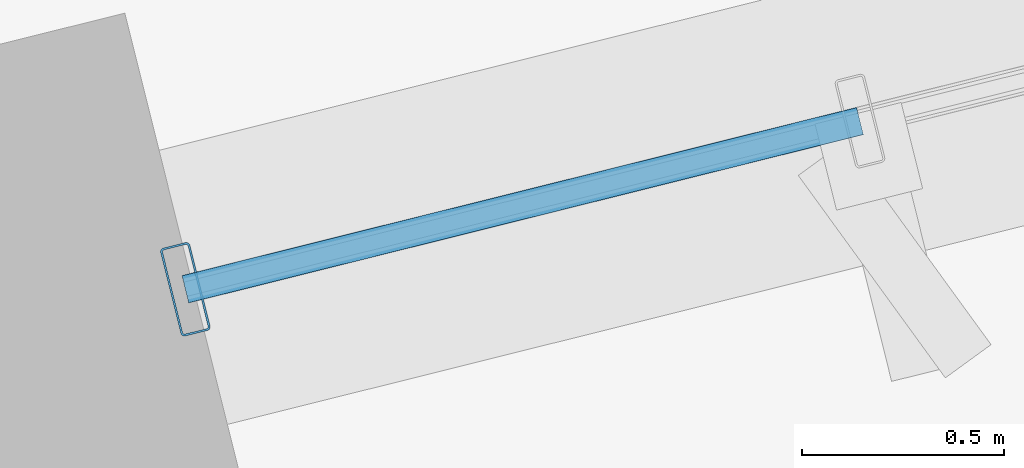
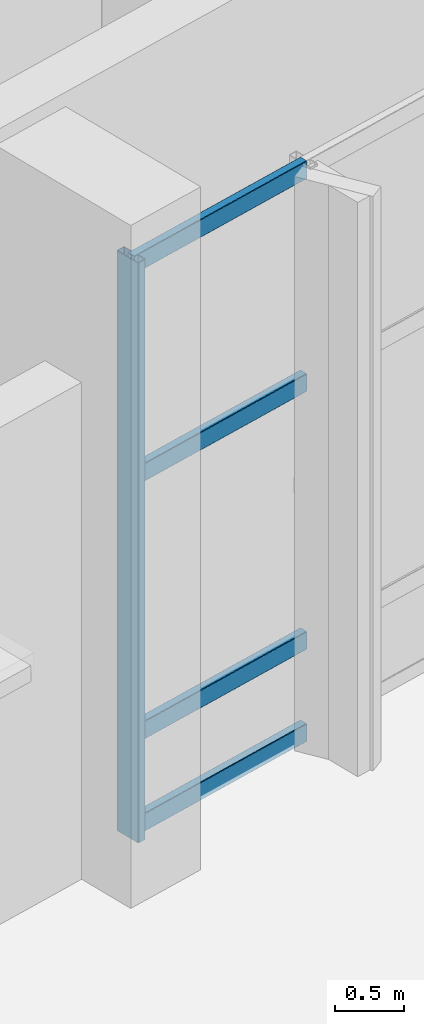
# One storey, part 85 of 163: 5 members, 1 element without a shape of its own.
"""IFC4 building model written with IfcOpenShell, lengths in metres."""

from ifc_helpers import new_model, si_unit, direction, frame, origin, origin_2d, place, context, subcontext, project, spatial, hollow_rectangle, extrude, material, layer, layer_set, material_profile, profile_set, type_object, element, aggregate, save


model = new_model("IFC4")

# Units and contexts
model_context = context("Model", 3, precision=1e-05, world=origin(), true_north=direction((0.0, 1.0)))
body_context = subcontext(model_context, "Body", "Model", "MODEL_VIEW")
ifc_project = project(units=[si_unit("LENGTHUNIT", "METRE"), si_unit("AREAUNIT", "SQUARE_METRE"), si_unit("VOLUMEUNIT", "CUBIC_METRE"), si_unit("PLANEANGLEUNIT", "RADIAN"), si_unit("MASSUNIT", "GRAM", prefix="KILO")], contexts=[model_context])

# Site, building, storey
site_placement = place(None, origin())
site = spatial("IfcSite", under=ifc_project, at=site_placement, CompositionType="ELEMENT")
building_placement = place(site_placement, origin())
building = spatial("IfcBuilding", under=site, at=building_placement, Name="Khorjan Park Terminus", CompositionType="ELEMENT")
storey_placement = place(building_placement, origin())
storey = spatial("IfcBuildingStorey", under=building, at=storey_placement, Name="L00", CompositionType="ELEMENT", Elevation=0.0)

# Curtain wall, members
ifc_material = material(Name="Anodized Bronze Aluminium", Category="aluminium")
ifc_layer = layer(ifc_material, 0.22)
ifc_layer_set = layer_set([ifc_layer], Name="Anodized Bronze Aluminium")
curtain_wall_type = type_object("IfcCurtainWallType", Name="CW-OPS-B", PredefinedType="NOTDEFINED", material=ifc_layer_set)
curtain_wall_placement = place(storey_placement, origin())
curtain_wall = element("IfcCurtainWall", 1, at=curtain_wall_placement, inside=storey, type_object=curtain_wall_type, Name="Unitized curtain wall CW-B (CW-V5-S-L00-B05)", PredefinedType="NOTDEFINED")
ifc_material_profile_1 = material_profile(ifc_material, hollow_rectangle(XDim=0.075, YDim=0.225, WallThickness=0.005, InnerFilletRadius=0.005, OuterFilletRadius=0.01, at=origin_2d()), Name="ALM 75x225x5")
ifc_profile_set_1 = profile_set([ifc_material_profile_1], Name="Anodized Bronze Aluminium")
member_type_1 = type_object("IfcMemberType", Name="ML-ALM-225", PredefinedType="MULLION", material=ifc_profile_set_1)
member_1_placement = place(storey_placement, frame((209.0133, 12.7245, -0.035), z_axis=(0.0, 0.0, 1.0), x_axis=(0.970298180833, 0.241912050695, 0.0)))
member_1 = element("IfcMember", 2, at=member_1_placement, type_object=member_type_1, Name="Curtain-wall mullion ML-22 (CW-V5-S-L00-B05-0)", PredefinedType="MULLION", context=body_context, shape_type="SweptSolid", body=[
    extrude(hollow_rectangle(XDim=0.075, YDim=0.225, WallThickness=0.005, InnerFilletRadius=0.005, OuterFilletRadius=0.01, at=origin_2d()), origin(), (0.0, 0.0, 1.0), 5.095),
])
ifc_material_profile_2 = material_profile(ifc_material, hollow_rectangle(XDim=0.07, YDim=0.16, WallThickness=0.004, InnerFilletRadius=0.004, OuterFilletRadius=0.008, at=origin_2d()), Name="ALT 70x160x4")
ifc_profile_set_2 = profile_set([ifc_material_profile_2], Name="Anodized Bronze Aluminium")
member_type_2 = type_object("IfcMemberType", Name="TR-ALT-160", PredefinedType="USERDEFINED", material=ifc_profile_set_2)
member_2_placement = place(storey_placement, frame((209.0133, 12.7245, 0.04), z_axis=(0.970295910649, 0.241921156121, 0.0), x_axis=(-0.241921156121, 0.970295910649, 0.0)))
member_2 = element("IfcMember", 3, at=member_2_placement, type_object=member_type_2, Name="Curtain-wall transom TR-16 (CW-V5-S-L00-B05-0-1)", ObjectType="TRANSOM", PredefinedType="USERDEFINED", context=body_context, shape_type="SweptSolid", body=[
    extrude(hollow_rectangle(XDim=0.07, YDim=0.16, WallThickness=0.004, InnerFilletRadius=0.004, OuterFilletRadius=0.008, at=origin_2d()), origin(), (0.0, 0.0, 1.0), 1.7233),
])
member_3_placement = place(storey_placement, frame((209.0133, 12.7245, 0.85), z_axis=(0.970295910649, 0.241921156121, 0.0), x_axis=(-0.241921156121, 0.970295910649, 0.0)))
member_3 = element("IfcMember", 4, at=member_3_placement, type_object=member_type_2, Name="Curtain-wall transom TR-16 (CW-V5-S-L00-B05-0-2)", ObjectType="TRANSOM", PredefinedType="USERDEFINED", context=body_context, shape_type="SweptSolid", body=[
    extrude(hollow_rectangle(XDim=0.07, YDim=0.16, WallThickness=0.004, InnerFilletRadius=0.004, OuterFilletRadius=0.008, at=origin_2d()), origin(), (0.0, 0.0, 1.0), 1.7233),
])
member_4_placement = place(storey_placement, frame((209.0133, 12.7245, 3.1155), z_axis=(0.970295910649, 0.241921156121, 0.0), x_axis=(-0.241921156121, 0.970295910649, 0.0)))
member_4 = element("IfcMember", 5, at=member_4_placement, type_object=member_type_2, Name="Curtain-wall transom TR-16 (CW-V5-S-L00-B05-0-3)", ObjectType="TRANSOM", PredefinedType="USERDEFINED", context=body_context, shape_type="SweptSolid", body=[
    extrude(hollow_rectangle(XDim=0.07, YDim=0.16, WallThickness=0.004, InnerFilletRadius=0.004, OuterFilletRadius=0.008, at=origin_2d()), origin(), (0.0, 0.0, 1.0), 1.7233),
])
member_5_placement = place(storey_placement, frame((209.0133, 12.7245, 4.985), z_axis=(0.970295910649, 0.241921156121, 0.0), x_axis=(-0.241921156121, 0.970295910649, 0.0)))
member_5 = element("IfcMember", 6, at=member_5_placement, type_object=member_type_2, Name="Curtain-wall transom TR-16 (CW-V5-S-L00-B05-0-4)", ObjectType="TRANSOM", PredefinedType="USERDEFINED", context=body_context, shape_type="SweptSolid", body=[
    extrude(hollow_rectangle(XDim=0.07, YDim=0.16, WallThickness=0.004, InnerFilletRadius=0.004, OuterFilletRadius=0.008, at=origin_2d()), origin(), (0.0, 0.0, 1.0), 1.7233),
])
aggregate(curtain_wall, [member_1, member_2, member_3, member_4, member_5])

save(model, "model.ifc")
